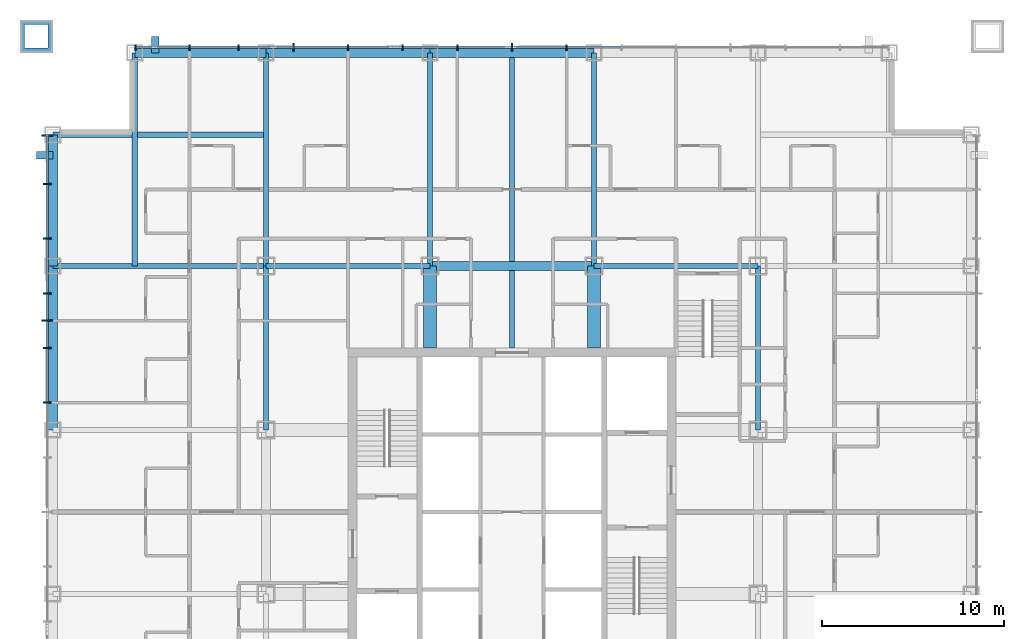
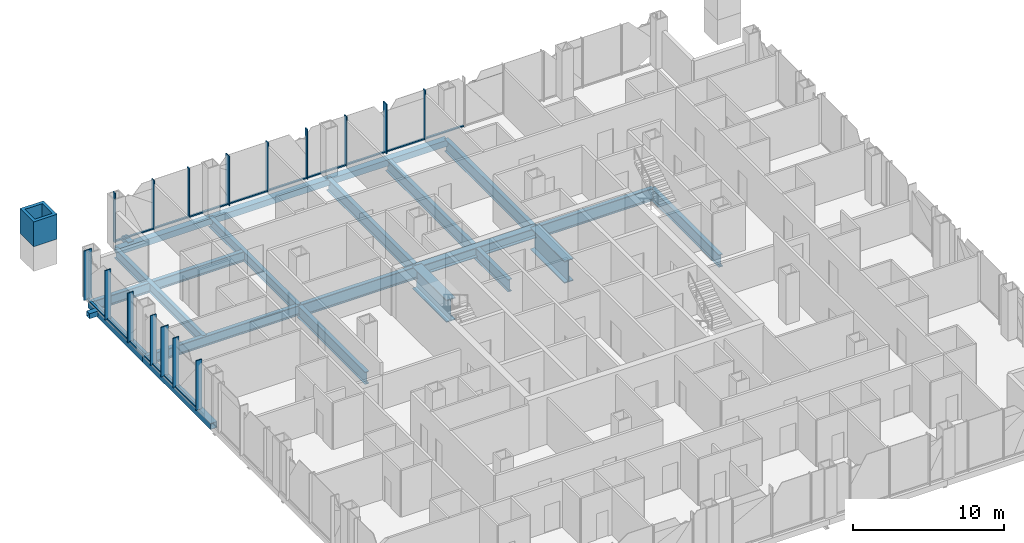
# One storey, part 4 of 23: 34 members, 19 beams, 2 elements without a shape of their own.
"""IFC4 building model written with IfcOpenShell, lengths in metres."""

from ifc_helpers import new_model, si_unit, direction, frame, origin, origin_2d, place, context, subcontext, project, spatial, rectangle, hollow_rectangle, i_section, extrude, material, layer, layer_set, material_profile, profile_set, type_object, element, aggregate, save


model = new_model("IFC4")

# Units and contexts
model_context = context("Model", 3, precision=1e-05, world=origin(), true_north=direction((0.0, 1.0)))
body_context = subcontext(model_context, "Body", "Model", "MODEL_VIEW")
ifc_project = project(units=[si_unit("LENGTHUNIT", "METRE"), si_unit("AREAUNIT", "SQUARE_METRE"), si_unit("VOLUMEUNIT", "CUBIC_METRE"), si_unit("PLANEANGLEUNIT", "RADIAN"), si_unit("MASSUNIT", "GRAM", prefix="KILO")], contexts=[model_context])

# Site, building, storey
site_placement = place(None, origin())
site = spatial("IfcSite", under=ifc_project, at=site_placement, CompositionType="ELEMENT")
building_placement = place(site_placement, origin())
building = spatial("IfcBuilding", under=site, at=building_placement, Name="Malebo Sky Hospital", CompositionType="ELEMENT")
storey_placement = place(building_placement, frame((0.0, 0.0, 91.0)))
storey = spatial("IfcBuildingStorey", under=building, at=storey_placement, Name="L21", CompositionType="ELEMENT", Elevation=91.0)

# Curtain wall, members
ifc_material_1 = material(Name="Anodised aluminium, natural silver", Category="aluminium")
ifc_layer_1 = layer(ifc_material_1, 0.25)
ifc_layer_set_1 = layer_set([ifc_layer_1], Name="WARD CURTAIN WALL NORTH AND SOUTH")
curtain_wall_type_1 = type_object("IfcCurtainWallType", Name="WARD CURTAIN WALL NORTH AND SOUTH", PredefinedType="NOTDEFINED", material=ifc_layer_set_1)
curtain_wall_1_placement = place(storey_placement, origin())
curtain_wall_1 = element("IfcCurtainWall", 1, at=curtain_wall_1_placement, inside=storey, type_object=curtain_wall_type_1, Name="NS curtain wall N", PredefinedType="NOTDEFINED")
ifc_material_profile_1 = material_profile(ifc_material_1, rectangle(XDim=0.14990234375, YDim=0.10009765625, at=origin_2d()), Name="ALUMINIUM TRANSOM 150x100")
ifc_profile_set_1 = profile_set([ifc_material_profile_1], Name="Anodised aluminium, natural silver")
member_type_1 = type_object("IfcMemberType", Name="ALUMINIUM TRANSOM 150x100", PredefinedType="USERDEFINED", material=ifc_profile_set_1)
member_1_placement = place(storey_placement, frame((39.375, 87.5, 0.050048828125), z_axis=(1.0, 0.0, 0.0), x_axis=(0.0, 1.0, 0.0)))
member_1 = element("IfcMember", 2, at=member_1_placement, type_object=member_type_1, Name="Transom 1", ObjectType="TRANSOM", PredefinedType="USERDEFINED", context=body_context, shape_type="SweptSolid", body=[
    extrude(rectangle(XDim=0.14990234375, YDim=0.10009765625, at=origin_2d()), origin(), (0.0, 0.0, 1.0), 2.887451171875),
])
member_2_placement = place(storey_placement, frame((42.33740234375, 87.5, 0.050048828125), z_axis=(1.0, 0.0, 0.0), x_axis=(0.0, 1.0, 0.0)))
member_2 = element("IfcMember", 3, at=member_2_placement, type_object=member_type_1, Name="Transom 2", ObjectType="TRANSOM", PredefinedType="USERDEFINED", context=body_context, shape_type="SweptSolid", body=[
    extrude(rectangle(XDim=0.14990234375, YDim=0.10009765625, at=origin_2d()), origin(), (0.0, 0.0, 1.0), 2.625),
])
member_3_placement = place(storey_placement, frame((45.03759765625, 87.5, 0.050048828125), z_axis=(1.0, 0.0, 0.0), x_axis=(0.0, 1.0, 0.0)))
member_3 = element("IfcMember", 4, at=member_3_placement, type_object=member_type_1, Name="Transom 3", ObjectType="TRANSOM", PredefinedType="USERDEFINED", context=body_context, shape_type="SweptSolid", body=[
    extrude(rectangle(XDim=0.14990234375, YDim=0.10009765625, at=origin_2d()), origin(), (0.0, 0.0, 1.0), 2.9248046875),
])
member_4_placement = place(storey_placement, frame((48.03759765625, 87.5, 0.050048828125), z_axis=(1.0, 0.0, 0.0), x_axis=(0.0, 1.0, 0.0)))
member_4 = element("IfcMember", 5, at=member_4_placement, type_object=member_type_1, Name="Transom 4", ObjectType="TRANSOM", PredefinedType="USERDEFINED", context=body_context, shape_type="SweptSolid", body=[
    extrude(rectangle(XDim=0.14990234375, YDim=0.10009765625, at=origin_2d()), origin(), (0.0, 0.0, 1.0), 2.9248046875),
])
member_5_placement = place(storey_placement, frame((51.03759765625, 87.5, 0.050048828125), z_axis=(1.0, 0.0, 0.0), x_axis=(0.0, 1.0, 0.0)))
member_5 = element("IfcMember", 6, at=member_5_placement, type_object=member_type_1, Name="Transom 5", ObjectType="TRANSOM", PredefinedType="USERDEFINED", context=body_context, shape_type="SweptSolid", body=[
    extrude(rectangle(XDim=0.14990234375, YDim=0.10009765625, at=origin_2d()), origin(), (0.0, 0.0, 1.0), 2.9248046875),
])
member_6_placement = place(storey_placement, frame((54.03759765625, 87.5, 0.050048828125), z_axis=(1.0, 0.0, 0.0), x_axis=(0.0, 1.0, 0.0)))
member_6 = element("IfcMember", 7, at=member_6_placement, type_object=member_type_1, Name="Transom 6", ObjectType="TRANSOM", PredefinedType="USERDEFINED", context=body_context, shape_type="SweptSolid", body=[
    extrude(rectangle(XDim=0.14990234375, YDim=0.10009765625, at=origin_2d()), origin(), (0.0, 0.0, 1.0), 2.9248046875),
])
member_7_placement = place(storey_placement, frame((57.03759765625, 87.5, 0.050048828125), z_axis=(1.0, 0.0, 0.0), x_axis=(0.0, 1.0, 0.0)))
member_7 = element("IfcMember", 8, at=member_7_placement, type_object=member_type_1, Name="Transom 7", ObjectType="TRANSOM", PredefinedType="USERDEFINED", context=body_context, shape_type="SweptSolid", body=[
    extrude(rectangle(XDim=0.14990234375, YDim=0.10009765625, at=origin_2d()), origin(), (0.0, 0.0, 1.0), 2.9248046875),
])
member_8_placement = place(storey_placement, frame((60.03759765625, 87.5, 0.050048828125), z_axis=(1.0, 0.0, 0.0), x_axis=(0.0, 1.0, 0.0)))
member_8 = element("IfcMember", 9, at=member_8_placement, type_object=member_type_1, Name="Transom 8", ObjectType="TRANSOM", PredefinedType="USERDEFINED", context=body_context, shape_type="SweptSolid", body=[
    extrude(rectangle(XDim=0.14990234375, YDim=0.10009765625, at=origin_2d()), origin(), (0.0, 0.0, 1.0), 2.9248046875),
])
member_9_placement = place(storey_placement, frame((63.03759765625, 87.5, 0.050048828125), z_axis=(1.0, 0.0, 0.0), x_axis=(0.0, 1.0, 0.0)))
member_9 = element("IfcMember", 10, at=member_9_placement, type_object=member_type_1, Name="Transom 9", ObjectType="TRANSOM", PredefinedType="USERDEFINED", context=body_context, shape_type="SweptSolid", body=[
    extrude(rectangle(XDim=0.14990234375, YDim=0.10009765625, at=origin_2d()), origin(), (0.0, 0.0, 1.0), 2.9248046875),
])

ifc_layer_2 = layer(ifc_material_1, 0.25)
ifc_layer_set_2 = layer_set([ifc_layer_2], Name="WARD CURTAIN WALL EAST AND WEST")
curtain_wall_type_2 = type_object("IfcCurtainWallType", Name="WARD CURTAIN WALL EAST AND WEST", PredefinedType="NOTDEFINED", material=ifc_layer_set_2)
curtain_wall_2_placement = place(storey_placement, origin())
curtain_wall_2 = element("IfcCurtainWall", 11, at=curtain_wall_2_placement, inside=storey, type_object=curtain_wall_type_2, Name="EW curtain wall W", PredefinedType="NOTDEFINED")
member_10_placement = place(storey_placement, frame((34.5, 68.03759765625, 0.050048828125), z_axis=(0.0, 1.0, 0.0), x_axis=(-1.0, 0.0, 0.0)))
member_10 = element("IfcMember", 12, at=member_10_placement, type_object=member_type_1, Name="Transom 10", ObjectType="TRANSOM", PredefinedType="USERDEFINED", context=body_context, shape_type="SweptSolid", body=[
    extrude(rectangle(XDim=0.14990234375, YDim=0.10009765625, at=origin_2d()), origin(), (0.0, 0.0, 1.0), 2.9248046875),
])
member_11_placement = place(storey_placement, frame((34.5, 71.03759765625, 0.050048828125), z_axis=(0.0, 1.0, 0.0), x_axis=(-1.0, 0.0, 0.0)))
member_11 = element("IfcMember", 13, at=member_11_placement, type_object=member_type_1, Name="Transom 11", ObjectType="TRANSOM", PredefinedType="USERDEFINED", context=body_context, shape_type="SweptSolid", body=[
    extrude(rectangle(XDim=0.14990234375, YDim=0.10009765625, at=origin_2d()), origin(), (0.0, 0.0, 1.0), 1.4248046875),
])
member_12_placement = place(storey_placement, frame((34.5, 72.53759765625, 0.050048828125), z_axis=(0.0, 1.0, 0.0), x_axis=(-1.0, 0.0, 0.0)))
member_12 = element("IfcMember", 14, at=member_12_placement, type_object=member_type_1, Name="Transom 12", ObjectType="TRANSOM", PredefinedType="USERDEFINED", context=body_context, shape_type="SweptSolid", body=[
    extrude(rectangle(XDim=0.14990234375, YDim=0.10009765625, at=origin_2d()), origin(), (0.0, 0.0, 1.0), 1.4248046875),
])
member_13_placement = place(storey_placement, frame((34.5, 74.03759765625, 0.050048828125), z_axis=(0.0, 1.0, 0.0), x_axis=(-1.0, 0.0, 0.0)))
member_13 = element("IfcMember", 15, at=member_13_placement, type_object=member_type_1, Name="Transom 13", ObjectType="TRANSOM", PredefinedType="USERDEFINED", context=body_context, shape_type="SweptSolid", body=[
    extrude(rectangle(XDim=0.14990234375, YDim=0.10009765625, at=origin_2d()), origin(), (0.0, 0.0, 1.0), 2.9248046875),
])
member_14_placement = place(storey_placement, frame((34.5, 77.03759765625, 0.050048828125), z_axis=(0.0, 1.0, 0.0), x_axis=(-1.0, 0.0, 0.0)))
member_14 = element("IfcMember", 16, at=member_14_placement, type_object=member_type_1, Name="Transom 14", ObjectType="TRANSOM", PredefinedType="USERDEFINED", context=body_context, shape_type="SweptSolid", body=[
    extrude(rectangle(XDim=0.14990234375, YDim=0.10009765625, at=origin_2d()), origin(), (0.0, 0.0, 1.0), 2.9248046875),
])
member_15_placement = place(storey_placement, frame((34.5, 80.03759765625, 0.050048828125), z_axis=(0.0, 1.0, 0.0), x_axis=(-1.0, 0.0, 0.0)))
member_15 = element("IfcMember", 17, at=member_15_placement, type_object=member_type_1, Name="Transom 15", ObjectType="TRANSOM", PredefinedType="USERDEFINED", context=body_context, shape_type="SweptSolid", body=[
    extrude(rectangle(XDim=0.14990234375, YDim=0.10009765625, at=origin_2d()), origin(), (0.0, 0.0, 1.0), 2.58740234375),
])

# Members
ifc_material_2 = material(Name="Steel S355", Category="steel")
ifc_material_profile_2 = material_profile(ifc_material_2, hollow_rectangle(XDim=0.39990234375, YDim=0.39990234375, WallThickness=0.02001953125, at=origin_2d()), Name="SHS 400x20")
ifc_profile_set_2 = profile_set([ifc_material_profile_2], Name="Steel S355")
member_type_2 = type_object("IfcMemberType", Name="BRACE STRUT SHS 400x20", PredefinedType="STRUT", material=ifc_profile_set_2)
for number, where, z_axis, x_axis, name in (
    (18, (40.425048828125, 88.10009765625, -0.39990234375), (0.0, -1.0, 0.0), (1.0, 0.0, 0.0), "Brace strut AN1 L21"),
    (19, (33.89990234375, 81.574951171875, -0.39990234375), (1.0, 0.0, 0.0), (0.0, 1.0, 0.0), "Brace strut AW2 L21"),
):
    element("IfcMember", number, at=place(storey_placement, frame(where, z_axis=z_axis, x_axis=x_axis)), inside=storey, type_object=member_type_2, Name=name, PredefinedType="STRUT", context=body_context, shape_type="SweptSolid", body=[
        extrude(hollow_rectangle(XDim=0.39990234375, YDim=0.39990234375, WallThickness=0.02001953125, at=origin_2d()), origin(), (0.0, 0.0, 1.0), 0.900146484375),
    ])

# Member
ifc_material_profile_3 = material_profile(ifc_material_1, rectangle(XDim=0.074951171875, YDim=0.300048828125, at=origin_2d()), Name="CW1 ALUMINIUM FIN MULLION 75x300")
ifc_profile_set_3 = profile_set([ifc_material_profile_3], Name="Anodised aluminium, natural silver")
member_type_3 = type_object("IfcMemberType", Name="CW1 ALUMINIUM FIN MULLION 75x300", PredefinedType="MULLION", material=ifc_profile_set_3)
member_16_placement = place(storey_placement, frame((39.33740234375, 87.5, 0.0), z_axis=(0.0, 0.0, 1.0), x_axis=(1.0, 0.0, 0.0)))
member_16 = element("IfcMember", 20, at=member_16_placement, type_object=member_type_3, Name="Fin mullion 1", PredefinedType="MULLION", context=body_context, shape_type="SweptSolid", body=[
    extrude(rectangle(XDim=0.074951171875, YDim=0.300048828125, at=origin_2d()), origin(), (0.0, 0.0, 1.0), 4.0),
])

member_17_placement = place(storey_placement, frame((42.300048828125, 87.5, 0.0), z_axis=(0.0, 0.0, 1.0), x_axis=(1.0, 0.0, 0.0)))
member_17 = element("IfcMember", 21, at=member_17_placement, type_object=member_type_3, Name="Fin mullion 2", PredefinedType="MULLION", context=body_context, shape_type="SweptSolid", body=[
    extrude(rectangle(XDim=0.074951171875, YDim=0.300048828125, at=origin_2d()), origin(), (0.0, 0.0, 1.0), 4.0),
])

member_18_placement = place(storey_placement, frame((45.0, 87.5, 0.0), z_axis=(0.0, 0.0, 1.0), x_axis=(1.0, 0.0, 0.0)))
member_18 = element("IfcMember", 22, at=member_18_placement, type_object=member_type_3, Name="Fin mullion 3", PredefinedType="MULLION", context=body_context, shape_type="SweptSolid", body=[
    extrude(rectangle(XDim=0.074951171875, YDim=0.300048828125, at=origin_2d()), origin(), (0.0, 0.0, 1.0), 4.0),
])

member_19_placement = place(storey_placement, frame((51.0, 87.5, 0.0), z_axis=(0.0, 0.0, 1.0), x_axis=(1.0, 0.0, 0.0)))
member_19 = element("IfcMember", 23, at=member_19_placement, type_object=member_type_3, Name="Fin mullion 5", PredefinedType="MULLION", context=body_context, shape_type="SweptSolid", body=[
    extrude(rectangle(XDim=0.074951171875, YDim=0.300048828125, at=origin_2d()), origin(), (0.0, 0.0, 1.0), 4.0),
])

member_20_placement = place(storey_placement, frame((54.0, 87.5, 0.0), z_axis=(0.0, 0.0, 1.0), x_axis=(1.0, 0.0, 0.0)))
member_20 = element("IfcMember", 24, at=member_20_placement, type_object=member_type_3, Name="Fin mullion 6", PredefinedType="MULLION", context=body_context, shape_type="SweptSolid", body=[
    extrude(rectangle(XDim=0.074951171875, YDim=0.300048828125, at=origin_2d()), origin(), (0.0, 0.0, 1.0), 4.0),
])

member_21_placement = place(storey_placement, frame((57.0, 87.5, 0.0), z_axis=(0.0, 0.0, 1.0), x_axis=(1.0, 0.0, 0.0)))
member_21 = element("IfcMember", 25, at=member_21_placement, type_object=member_type_3, Name="Fin mullion 7", PredefinedType="MULLION", context=body_context, shape_type="SweptSolid", body=[
    extrude(rectangle(XDim=0.074951171875, YDim=0.300048828125, at=origin_2d()), origin(), (0.0, 0.0, 1.0), 4.0),
])

member_22_placement = place(storey_placement, frame((63.0, 87.5, 0.0), z_axis=(0.0, 0.0, 1.0), x_axis=(1.0, 0.0, 0.0)))
member_22 = element("IfcMember", 26, at=member_22_placement, type_object=member_type_3, Name="Fin mullion 9", PredefinedType="MULLION", context=body_context, shape_type="SweptSolid", body=[
    extrude(rectangle(XDim=0.074951171875, YDim=0.300048828125, at=origin_2d()), origin(), (0.0, 0.0, 1.0), 4.0),
])

ifc_material_profile_4 = material_profile(ifc_material_1, rectangle(XDim=0.074951171875, YDim=0.449951171875, at=origin_2d()), Name="CW1 ALUMINIUM FIN MULLION 75x450")
ifc_profile_set_4 = profile_set([ifc_material_profile_4], Name="Anodised aluminium, natural silver")
member_type_4 = type_object("IfcMemberType", Name="CW1 ALUMINIUM FIN MULLION 75x450", PredefinedType="MULLION", material=ifc_profile_set_4)
member_23_placement = place(storey_placement, frame((48.0, 87.5, 0.0), z_axis=(0.0, 0.0, 1.0), x_axis=(1.0, 0.0, 0.0)))
member_23 = element("IfcMember", 27, at=member_23_placement, type_object=member_type_4, Name="Fin mullion 4", PredefinedType="MULLION", context=body_context, shape_type="SweptSolid", body=[
    extrude(rectangle(XDim=0.074951171875, YDim=0.449951171875, at=origin_2d()), origin(), (0.0, 0.0, 1.0), 4.0),
])

member_24_placement = place(storey_placement, frame((60.0, 87.5, 0.0), z_axis=(0.0, 0.0, 1.0), x_axis=(1.0, 0.0, 0.0)))
member_24 = element("IfcMember", 28, at=member_24_placement, type_object=member_type_4, Name="Fin mullion 8", PredefinedType="MULLION", context=body_context, shape_type="SweptSolid", body=[
    extrude(rectangle(XDim=0.074951171875, YDim=0.449951171875, at=origin_2d()), origin(), (0.0, 0.0, 1.0), 4.0),
])

aggregate(curtain_wall_1, [member_16, member_17, member_18, member_23, member_19, member_20, member_21, member_24, member_22, member_1, member_2, member_3, member_4, member_5, member_6, member_7, member_8, member_9])

ifc_material_profile_5 = material_profile(ifc_material_1, rectangle(XDim=0.074951171875, YDim=0.449951171875, at=origin_2d()), Name="CW2 ALUMINIUM FIN MULLION 75x450")
ifc_profile_set_5 = profile_set([ifc_material_profile_5], Name="Anodised aluminium, natural silver")
member_type_5 = type_object("IfcMemberType", Name="CW2 ALUMINIUM FIN MULLION 75x450", PredefinedType="MULLION", material=ifc_profile_set_5)
member_25_placement = place(storey_placement, frame((34.5, 68.0, 0.0), z_axis=(0.0, 0.0, 1.0), x_axis=(0.0, 1.0, 0.0)))
member_25 = element("IfcMember", 29, at=member_25_placement, type_object=member_type_5, Name="Fin mullion 10", PredefinedType="MULLION", context=body_context, shape_type="SweptSolid", body=[
    extrude(rectangle(XDim=0.074951171875, YDim=0.449951171875, at=origin_2d()), origin(), (0.0, 0.0, 1.0), 4.0),
])

member_26_placement = place(storey_placement, frame((34.5, 71.0, 0.0), z_axis=(0.0, 0.0, 1.0), x_axis=(0.0, 1.0, 0.0)))
member_26 = element("IfcMember", 30, at=member_26_placement, type_object=member_type_5, Name="Fin mullion 11", PredefinedType="MULLION", context=body_context, shape_type="SweptSolid", body=[
    extrude(rectangle(XDim=0.074951171875, YDim=0.449951171875, at=origin_2d()), origin(), (0.0, 0.0, 1.0), 4.0),
])

member_27_placement = place(storey_placement, frame((34.5, 74.0, 0.0), z_axis=(0.0, 0.0, 1.0), x_axis=(0.0, 1.0, 0.0)))
member_27 = element("IfcMember", 31, at=member_27_placement, type_object=member_type_5, Name="Fin mullion 13", PredefinedType="MULLION", context=body_context, shape_type="SweptSolid", body=[
    extrude(rectangle(XDim=0.074951171875, YDim=0.449951171875, at=origin_2d()), origin(), (0.0, 0.0, 1.0), 4.0),
])

member_28_placement = place(storey_placement, frame((34.5, 77.0, 0.0), z_axis=(0.0, 0.0, 1.0), x_axis=(0.0, 1.0, 0.0)))
member_28 = element("IfcMember", 32, at=member_28_placement, type_object=member_type_5, Name="Fin mullion 14", PredefinedType="MULLION", context=body_context, shape_type="SweptSolid", body=[
    extrude(rectangle(XDim=0.074951171875, YDim=0.449951171875, at=origin_2d()), origin(), (0.0, 0.0, 1.0), 4.0),
])

member_29_placement = place(storey_placement, frame((34.5, 80.0, 0.0), z_axis=(0.0, 0.0, 1.0), x_axis=(0.0, 1.0, 0.0)))
member_29 = element("IfcMember", 33, at=member_29_placement, type_object=member_type_5, Name="Fin mullion 15", PredefinedType="MULLION", context=body_context, shape_type="SweptSolid", body=[
    extrude(rectangle(XDim=0.074951171875, YDim=0.449951171875, at=origin_2d()), origin(), (0.0, 0.0, 1.0), 4.0),
])

ifc_material_profile_6 = material_profile(ifc_material_1, rectangle(XDim=0.074951171875, YDim=0.60009765625, at=origin_2d()), Name="CW2 ALUMINIUM FIN MULLION 75x600")
ifc_profile_set_6 = profile_set([ifc_material_profile_6], Name="Anodised aluminium, natural silver")
member_type_6 = type_object("IfcMemberType", Name="CW2 ALUMINIUM FIN MULLION 75x600", PredefinedType="MULLION", material=ifc_profile_set_6)
member_30_placement = place(storey_placement, frame((34.5, 72.5, 0.0), z_axis=(0.0, 0.0, 1.0), x_axis=(0.0, 1.0, 0.0)))
member_30 = element("IfcMember", 34, at=member_30_placement, type_object=member_type_6, Name="Fin mullion 12", PredefinedType="MULLION", context=body_context, shape_type="SweptSolid", body=[
    extrude(rectangle(XDim=0.074951171875, YDim=0.60009765625, at=origin_2d()), origin(), (0.0, 0.0, 1.0), 4.0),
])

member_31_placement = place(storey_placement, frame((34.5, 82.66259765625, 0.0), z_axis=(0.0, 0.0, 1.0), x_axis=(0.0, 1.0, 0.0)))
member_31 = element("IfcMember", 35, at=member_31_placement, type_object=member_type_6, Name="Fin mullion 16", PredefinedType="MULLION", context=body_context, shape_type="SweptSolid", body=[
    extrude(rectangle(XDim=0.074951171875, YDim=0.60009765625, at=origin_2d()), origin(), (0.0, 0.0, 1.0), 4.0),
])

aggregate(curtain_wall_2, [member_25, member_26, member_30, member_27, member_28, member_29, member_31, member_10, member_11, member_12, member_13, member_14, member_15])

# Beams
ifc_material_3 = material(Name="Steel S460", Category="steel")
ifc_material_profile_7 = material_profile(ifc_material_3, hollow_rectangle(XDim=0.5, YDim=0.5, WallThickness=0.030029296875, at=origin_2d()), Name="BOX 500x500x30")
ifc_profile_set_7 = profile_set([ifc_material_profile_7], Name="Steel S460")
beam_type_1 = type_object("IfcBeamType", Name="EDGE BEAM BOX 500x500x30", PredefinedType="BEAM", material=ifc_profile_set_7)
beam_1_placement = place(storey_placement, frame((34.800048828125, 66.5, -0.5), z_axis=(0.0, 1.0, 0.0), x_axis=(-1.0, 0.0, 0.0)))
element("IfcBeam", 36, at=beam_1_placement, inside=storey, type_object=beam_type_1, Name="Beam 003 L21", PredefinedType="BEAM", context=body_context, shape_type="SweptSolid", body=[
    extrude(hollow_rectangle(XDim=0.5, YDim=0.5, WallThickness=0.030029296875, at=origin_2d()), origin(), (0.0, 0.0, 1.0), 9.0),
])
for number, where, z_axis, x_axis, name in (
    (37, (34.800048828125, 75.5, -0.5), (0.0, 1.0, 0.0), (-1.0, 0.0, 0.0), "Beam 004 L21"),
    (38, (39.300048828125, 87.199951171875, -0.5), (1.0, 0.0, 0.0), (0.0, 1.0, 0.0), "Beam 063 L21"),
):
    element("IfcBeam", number, at=place(storey_placement, frame(where, z_axis=z_axis, x_axis=x_axis)), inside=storey, type_object=beam_type_1, Name=name, PredefinedType="BEAM", context=body_context, shape_type="SweptSolid", body=[
        extrude(hollow_rectangle(XDim=0.5, YDim=0.5, WallThickness=0.030029296875, at=origin_2d()), origin(), (0.0, 0.0, 1.0), 7.199951171875),
    ])
for number, where, z_axis, x_axis, name in (
    (39, (46.5, 87.199951171875, -0.5), (1.0, 0.0, 0.0), (0.0, 1.0, 0.0), "Beam 064 L21"),
    (40, (55.5, 87.199951171875, -0.5), (1.0, 0.0, 0.0), (0.0, 1.0, 0.0), "Beam 065 L21"),
):
    element("IfcBeam", number, at=place(storey_placement, frame(where, z_axis=z_axis, x_axis=x_axis)), inside=storey, type_object=beam_type_1, Name=name, PredefinedType="BEAM", context=body_context, shape_type="SweptSolid", body=[
        extrude(hollow_rectangle(XDim=0.5, YDim=0.5, WallThickness=0.030029296875, at=origin_2d()), origin(), (0.0, 0.0, 1.0), 9.0),
    ])
ifc_material_profile_8 = material_profile(ifc_material_2, i_section(OverallWidth=0.300048828125, OverallDepth=1.0, WebThickness=0.01904296875, FlangeThickness=0.035888671875, FilletRadius=0.030029296875, at=origin_2d()), Name="HEB 1000")
ifc_profile_set_8 = profile_set([ifc_material_profile_8], Name="Steel S355")
beam_type_2 = type_object("IfcBeamType", Name="FLOOR BEAM HEB 1000", PredefinedType="BEAM", material=ifc_profile_set_8)
beam_2_placement = place(storey_placement, frame((46.5, 66.5, -0.75), z_axis=(0.0, 1.0, 0.0), x_axis=(-1.0, 0.0, 0.0)))
element("IfcBeam", 41, at=beam_2_placement, inside=storey, type_object=beam_type_2, Name="Beam 010 L21", PredefinedType="BEAM", context=body_context, shape_type="SweptSolid", body=[
    extrude(i_section(OverallWidth=0.300048828125, OverallDepth=1.0, WebThickness=0.01904296875, FlangeThickness=0.035888671875, FilletRadius=0.030029296875, at=origin_2d()), origin(), (0.0, 0.0, 1.0), 9.0),
])
beam_3_placement = place(storey_placement, frame((55.5, 75.5, -0.75), z_axis=(0.0, 1.0, 0.0), x_axis=(-1.0, 0.0, 0.0)))
element("IfcBeam", 42, at=beam_3_placement, inside=storey, type_object=beam_type_2, Name="Beam 015 L21", PredefinedType="BEAM", context=body_context, shape_type="SweptSolid", body=[
    extrude(i_section(OverallWidth=0.300048828125, OverallDepth=1.0, WebThickness=0.01904296875, FlangeThickness=0.035888671875, FilletRadius=0.030029296875, at=origin_2d()), origin(), (0.0, 0.0, 1.0), 11.699951171875),
])
beam_4_placement = place(storey_placement, frame((60.0, 71.0, -0.75), z_axis=(0.0, 1.0, 0.0), x_axis=(-1.0, 0.0, 0.0)))
element("IfcBeam", 43, at=beam_4_placement, inside=storey, type_object=beam_type_2, Name="Beam 017 L21", PredefinedType="BEAM", context=body_context, shape_type="SweptSolid", body=[
    extrude(i_section(OverallWidth=0.300048828125, OverallDepth=1.0, WebThickness=0.01904296875, FlangeThickness=0.035888671875, FilletRadius=0.030029296875, at=origin_2d()), origin(), (0.0, 0.0, 1.0), 16.199951171875),
])
beam_5_placement = place(storey_placement, frame((64.5, 75.5, -0.75), z_axis=(0.0, 1.0, 0.0), x_axis=(-1.0, 0.0, 0.0)))
element("IfcBeam", 44, at=beam_5_placement, inside=storey, type_object=beam_type_2, Name="Beam 021 L21", PredefinedType="BEAM", context=body_context, shape_type="SweptSolid", body=[
    extrude(i_section(OverallWidth=0.300048828125, OverallDepth=1.0, WebThickness=0.01904296875, FlangeThickness=0.035888671875, FilletRadius=0.030029296875, at=origin_2d()), origin(), (0.0, 0.0, 1.0), 11.699951171875),
])
for number, where, z_axis, x_axis, name in (
    (45, (73.5, 66.5, -0.75), (0.0, 1.0, 0.0), (-1.0, 0.0, 0.0), "Beam 025 L21"),
    (46, (46.5, 75.5, -0.75), (1.0, 0.0, 0.0), (0.0, 1.0, 0.0), "Beam 057 L21"),
    (47, (64.5, 75.5, -0.75), (1.0, 0.0, 0.0), (0.0, 1.0, 0.0), "Beam 059 L21"),
):
    element("IfcBeam", number, at=place(storey_placement, frame(where, z_axis=z_axis, x_axis=x_axis)), inside=storey, type_object=beam_type_2, Name=name, PredefinedType="BEAM", context=body_context, shape_type="SweptSolid", body=[
        extrude(i_section(OverallWidth=0.300048828125, OverallDepth=1.0, WebThickness=0.01904296875, FlangeThickness=0.035888671875, FilletRadius=0.030029296875, at=origin_2d()), origin(), (0.0, 0.0, 1.0), 9.0),
    ])
ifc_material_profile_9 = material_profile(ifc_material_2, i_section(OverallWidth=0.300048828125, OverallDepth=0.800048828125, WebThickness=0.017578125, FlangeThickness=0.032958984375, FilletRadius=0.030029296875, at=origin_2d()), Name="HEB 800")
ifc_profile_set_9 = profile_set([ifc_material_profile_9], Name="Steel S355")
beam_type_3 = type_object("IfcBeamType", Name="FLOOR BEAM HEB 800", PredefinedType="BEAM", material=ifc_profile_set_9)
for number, where, z_axis, x_axis, name in (
    (48, (39.300048828125, 75.5, -0.64990234375), (0.0, 1.0, 0.0), (-1.0, 0.0, 0.0), "Beam 006 L21"),
    (49, (34.800048828125, 82.699951171875, -0.64990234375), (1.0, 0.0, 0.0), (0.0, 1.0, 0.0), "Beam 061 L21"),
):
    element("IfcBeam", number, at=place(storey_placement, frame(where, z_axis=z_axis, x_axis=x_axis)), inside=storey, type_object=beam_type_3, Name=name, PredefinedType="BEAM", context=body_context, shape_type="SweptSolid", body=[
        extrude(i_section(OverallWidth=0.300048828125, OverallDepth=0.800048828125, WebThickness=0.017578125, FlangeThickness=0.032958984375, FilletRadius=0.030029296875, at=origin_2d()), origin(), (0.0, 0.0, 1.0), 11.699951171875),
    ])
ifc_material_profile_10 = material_profile(ifc_material_2, i_section(OverallWidth=0.699951171875, OverallDepth=1.800048828125, WebThickness=0.034912109375, FlangeThickness=0.070068359375, at=origin_2d()), Name="PG 1800x700x35x70")
ifc_profile_set_10 = profile_set([ifc_material_profile_10], Name="Steel S355")
beam_type_4 = type_object("IfcBeamType", Name="FLOOR BEAM PG 1800x700x35x70", PredefinedType="BEAM", material=ifc_profile_set_10)
for number, where, z_axis, x_axis, name in (
    (50, (55.5, 71.0, -1.14990234375), (0.0, 1.0, 0.0), (-1.0, 0.0, 0.0), "Beam 014 L21"),
    (51, (64.5, 71.0, -1.14990234375), (0.0, 1.0, 0.0), (-1.0, 0.0, 0.0), "Beam 020 L21"),
):
    element("IfcBeam", number, at=place(storey_placement, frame(where, z_axis=z_axis, x_axis=x_axis)), inside=storey, type_object=beam_type_4, Name=name, PredefinedType="BEAM", context=body_context, shape_type="SweptSolid", body=[
        extrude(i_section(OverallWidth=0.699951171875, OverallDepth=1.800048828125, WebThickness=0.034912109375, FlangeThickness=0.070068359375, at=origin_2d()), origin(), (0.0, 0.0, 1.0), 4.5),
    ])
ifc_material_profile_11 = material_profile(ifc_material_2, i_section(OverallWidth=0.300048828125, OverallDepth=0.800048828125, WebThickness=0.017578125, FlangeThickness=0.032958984375, FilletRadius=0.030029296875, at=origin_2d()), Name="HEB 800")
ifc_profile_set_11 = profile_set([ifc_material_profile_11], Name="Steel S355")
beam_type_5 = type_object("IfcBeamType", Name="FLOOR GIRDER HEB 800", PredefinedType="BEAM", material=ifc_profile_set_11)
for number, where, z_axis, x_axis, name in (
    (52, (46.5, 75.5, -0.64990234375), (0.0, 1.0, 0.0), (-1.0, 0.0, 0.0), "Beam 011 L21"),
    (53, (34.800048828125, 75.5, -0.64990234375), (1.0, 0.0, 0.0), (0.0, 1.0, 0.0), "Beam 056 L21"),
):
    element("IfcBeam", number, at=place(storey_placement, frame(where, z_axis=z_axis, x_axis=x_axis)), inside=storey, type_object=beam_type_5, Name=name, PredefinedType="BEAM", context=body_context, shape_type="SweptSolid", body=[
        extrude(i_section(OverallWidth=0.300048828125, OverallDepth=0.800048828125, WebThickness=0.017578125, FlangeThickness=0.032958984375, FilletRadius=0.030029296875, at=origin_2d()), origin(), (0.0, 0.0, 1.0), 11.699951171875),
    ])

# Member
ifc_material_profile_12 = material_profile(ifc_material_3, hollow_rectangle(XDim=1.800048828125, YDim=1.800048828125, WallThickness=0.25, at=origin_2d()), Name="BOX 1800x1800x250")
ifc_profile_set_12 = profile_set([ifc_material_profile_12], Name="Steel S460")
member_type_7 = type_object("IfcMemberType", Name="MEGA COLUMN NODE BOX 1800x1800x250", PredefinedType="MEMBER", material=ifc_profile_set_12)
member_32_placement = place(storey_placement, frame((33.89990234375, 88.10009765625, 2.0), z_axis=(0.0, 0.0, 1.0), x_axis=(1.0, 0.0, 0.0)))
element("IfcMember", 54, at=member_32_placement, inside=storey, type_object=member_type_7, Name="Mega column node NW L21", PredefinedType="MEMBER", context=body_context, shape_type="SweptSolid", body=[
    extrude(hollow_rectangle(XDim=1.800048828125, YDim=1.800048828125, WallThickness=0.25, at=origin_2d()), origin(), (0.0, 0.0, 1.0), 2.0),
])

# Beam
ifc_material_profile_13 = material_profile(ifc_material_2, i_section(OverallWidth=0.5, OverallDepth=0.800048828125, WebThickness=0.030029296875, FlangeThickness=0.050048828125, at=origin_2d()), Name="PG 800x500x30x50")
ifc_profile_set_13 = profile_set([ifc_material_profile_13], Name="Steel S355")
beam_type_6 = type_object("IfcBeamType", Name="RING GIRDER PG 800x500x30x50", PredefinedType="BEAM", material=ifc_profile_set_13)
beam_6_placement = place(storey_placement, frame((55.5, 75.5, -0.64990234375), z_axis=(1.0, 0.0, 0.0), x_axis=(0.0, 1.0, 0.0)))
element("IfcBeam", 55, at=beam_6_placement, inside=storey, type_object=beam_type_6, Name="Beam 058 L21", PredefinedType="BEAM", context=body_context, shape_type="SweptSolid", body=[
    extrude(i_section(OverallWidth=0.5, OverallDepth=0.800048828125, WebThickness=0.030029296875, FlangeThickness=0.050048828125, at=origin_2d()), origin(), (0.0, 0.0, 1.0), 9.0),
])

save(model, "model.ifc")
